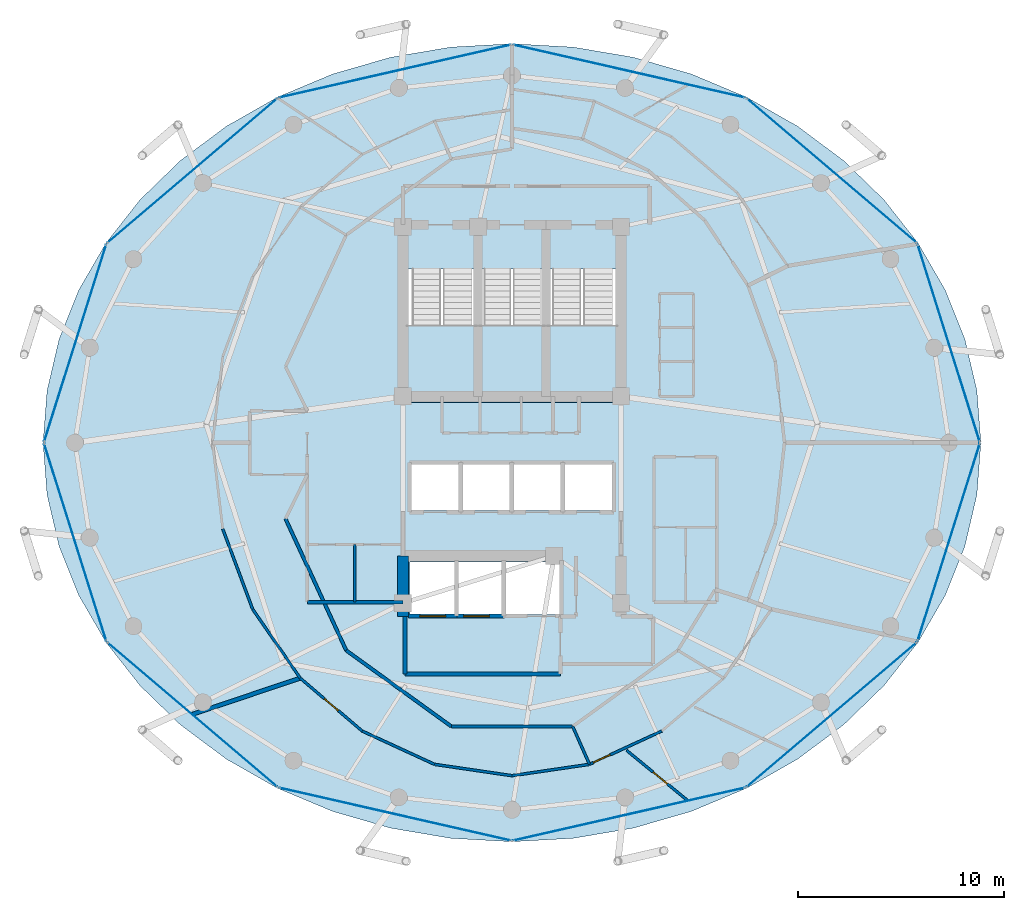
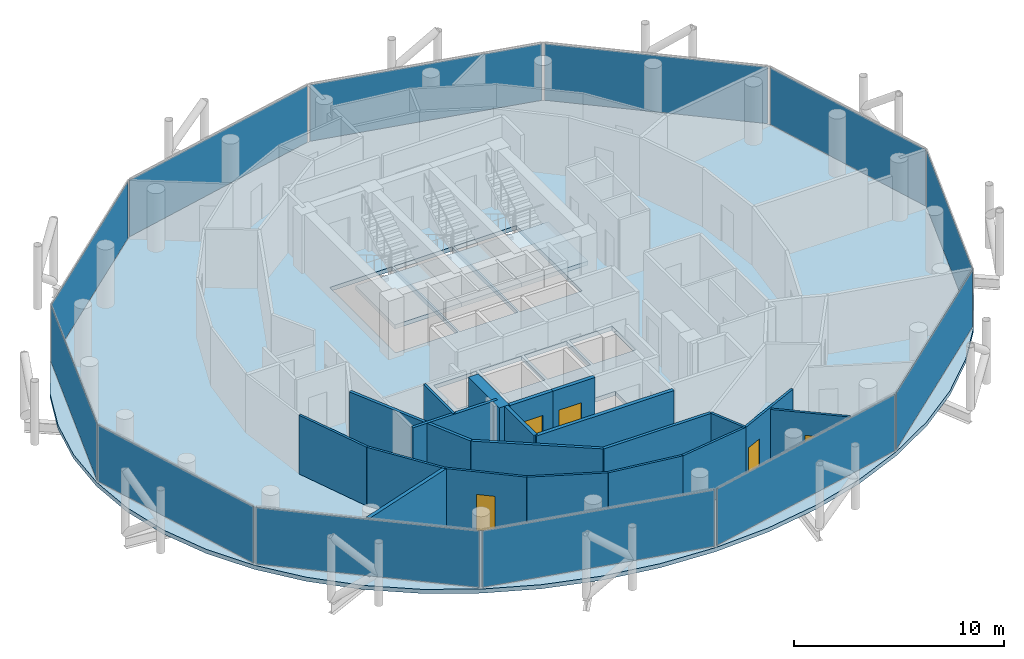
# One storey, part 22 of 27: 20 walls, 12 plates, 5 doors, 4 slabs, 5 openings, 15 elements without a shape of their own.
"""IFC4 building model written with IfcOpenShell, lengths in metres."""

from ifc_helpers import new_model, si_unit, direction, frame, frame_2d, origin, origin_2d, place, context, subcontext, project, spatial, polyline, rectangle, outline, extrude, material, layer, layer_set, type_object, element, fill, aggregate, save


model = new_model("IFC4")

# Units and contexts
model_context = context("Model", 3, precision=1e-05, world=origin(), true_north=direction((0.0, 1.0)))
body_context = subcontext(model_context, "Body", "Model", "MODEL_VIEW")
ifc_project = project(units=[si_unit("LENGTHUNIT", "METRE"), si_unit("AREAUNIT", "SQUARE_METRE"), si_unit("VOLUMEUNIT", "CUBIC_METRE"), si_unit("PLANEANGLEUNIT", "RADIAN"), si_unit("MASSUNIT", "GRAM", prefix="KILO")], contexts=[model_context])

# Site, building, storey
site_placement = place(None, origin())
site = spatial("IfcSite", under=ifc_project, at=site_placement, CompositionType="ELEMENT")
building_placement = place(site_placement, origin())
building = spatial("IfcBuilding", under=site, at=building_placement, Name="Nuhasar Tower", CompositionType="ELEMENT")
storey_placement = place(building_placement, frame((0.0, 0.0, 237.35009765625)))
storey = spatial("IfcBuildingStorey", under=building, at=storey_placement, Name="L58", CompositionType="ELEMENT", Elevation=237.35009765625)

# Curtain wall, plate
ifc_material_1 = material(Name="Aluminium 6063-T6", Category="aluminium")
ifc_layer_1 = layer(ifc_material_1, 0.18994140625)
ifc_layer_set_1 = layer_set([ifc_layer_1], Name="Aluminium 6063-T6")
curtain_wall_type = type_object("IfcCurtainWallType", Name="CW-Z3-RES", PredefinedType="NOTDEFINED", material=ifc_layer_set_1)
curtain_wall_1_placement = place(storey_placement, origin())
curtain_wall_1 = element("IfcCurtainWall", 1, at=curtain_wall_1_placement, inside=storey, type_object=curtain_wall_type, Name="L58 Unitised Curtain Wall 01", PredefinedType="NOTDEFINED")
ifc_material_2 = material(Name="Glass Double Low-E", Category="glass")
ifc_layer_2 = layer(ifc_material_2, 0.028076171875)
ifc_layer_set_2 = layer_set([ifc_layer_2], Name="Glass Double Low-E")
plate_type = type_object("IfcPlateType", Name="CW-PANEL-GLZ", PredefinedType="CURTAIN_PANEL", material=ifc_layer_set_2)
plate_1_placement = place(storey_placement, frame((60.235595703125, 31.639892578125, 0.06494140625), z_axis=(0.0, 0.0, 1.0), x_axis=(-0.30042864553, 0.95380429279, 0.0)))
plate_1 = element("IfcPlate", 2, at=plate_1_placement, type_object=plate_type, Name="CW-Z3 panel 1.1", PredefinedType="CURTAIN_PANEL", context=body_context, shape_type="SweptSolid", body=[
    extrude(rectangle(XDim=10.018798828125, YDim=0.028076171875, at=origin_2d()), origin(), (0.0, 0.0, 1.0), 3.280029296875),
])
aggregate(curtain_wall_1, [plate_1])

curtain_wall_2_placement = place(storey_placement, origin())
curtain_wall_2 = element("IfcCurtainWall", 3, at=curtain_wall_2_placement, inside=storey, type_object=curtain_wall_type, Name="L58 Unitised Curtain Wall 02", PredefinedType="NOTDEFINED")
plate_2_placement = place(storey_placement, frame((54.54541015625, 40.02294921875, 0.06494140625), z_axis=(0.0, 0.0, 1.0), x_axis=(-0.761729472562, 0.64789521578, 0.0)))
plate_2 = element("IfcPlate", 4, at=plate_2_placement, type_object=plate_type, Name="CW-Z3 panel 1.1", PredefinedType="CURTAIN_PANEL", context=body_context, shape_type="SweptSolid", body=[
    extrude(rectangle(XDim=10.806884765625, YDim=0.028076171875, at=origin_2d()), origin(), (0.0, 0.0, 1.0), 3.280029296875),
])
aggregate(curtain_wall_2, [plate_2])

curtain_wall_3_placement = place(storey_placement, origin())
curtain_wall_3 = element("IfcCurtainWall", 5, at=curtain_wall_3_placement, inside=storey, type_object=curtain_wall_type, Name="L58 Unitised Curtain Wall 03", PredefinedType="NOTDEFINED")
plate_3_placement = place(storey_placement, frame((44.68994140625, 44.863037109375, 0.06494140625), z_axis=(0.0, 0.0, 1.0), x_axis=(-0.974991266926, 0.222243176313, 0.0)))
plate_3 = element("IfcPlate", 6, at=plate_3_placement, type_object=plate_type, Name="CW-Z3 panel 1.1", PredefinedType="CURTAIN_PANEL", context=body_context, shape_type="SweptSolid", body=[
    extrude(rectangle(XDim=11.5419921875, YDim=0.028076171875, at=origin_2d()), origin(), (0.0, 0.0, 1.0), 3.280029296875),
])
aggregate(curtain_wall_3, [plate_3])

curtain_wall_4_placement = place(storey_placement, origin())
curtain_wall_4 = element("IfcCurtainWall", 7, at=curtain_wall_4_placement, inside=storey, type_object=curtain_wall_type, Name="L58 Unitised Curtain Wall 04", PredefinedType="NOTDEFINED")
plate_4_placement = place(storey_placement, frame((33.31005859375, 44.863037109375, 0.06494140625), z_axis=(0.0, 0.0, 1.0), x_axis=(-0.974991266926, -0.222243176313, 0.0)))
plate_4 = element("IfcPlate", 8, at=plate_4_placement, type_object=plate_type, Name="CW-Z3 panel 1.1", PredefinedType="CURTAIN_PANEL", context=body_context, shape_type="SweptSolid", body=[
    extrude(rectangle(XDim=11.5419921875, YDim=0.028076171875, at=origin_2d()), origin(), (0.0, 0.0, 1.0), 3.280029296875),
])
aggregate(curtain_wall_4, [plate_4])

curtain_wall_5_placement = place(storey_placement, origin())
curtain_wall_5 = element("IfcCurtainWall", 9, at=curtain_wall_5_placement, inside=storey, type_object=curtain_wall_type, Name="L58 Unitised Curtain Wall 05", PredefinedType="NOTDEFINED")
plate_5_placement = place(storey_placement, frame((23.45458984375, 40.02294921875, 0.06494140625), z_axis=(0.0, 0.0, 1.0), x_axis=(-0.761729472562, -0.64789521578, 0.0)))
plate_5 = element("IfcPlate", 10, at=plate_5_placement, type_object=plate_type, Name="CW-Z3 panel 1.1", PredefinedType="CURTAIN_PANEL", context=body_context, shape_type="SweptSolid", body=[
    extrude(rectangle(XDim=10.806884765625, YDim=0.028076171875, at=origin_2d()), origin(), (0.0, 0.0, 1.0), 3.280029296875),
])
aggregate(curtain_wall_5, [plate_5])

curtain_wall_6_placement = place(storey_placement, origin())
curtain_wall_6 = element("IfcCurtainWall", 11, at=curtain_wall_6_placement, inside=storey, type_object=curtain_wall_type, Name="L58 Unitised Curtain Wall 06", PredefinedType="NOTDEFINED")
plate_6_placement = place(storey_placement, frame((17.764404296875, 31.639892578125, 0.06494140625), z_axis=(0.0, 0.0, 1.0), x_axis=(-0.30042864553, -0.95380429279, 0.0)))
plate_6 = element("IfcPlate", 12, at=plate_6_placement, type_object=plate_type, Name="CW-Z3 panel 1.1", PredefinedType="CURTAIN_PANEL", context=body_context, shape_type="SweptSolid", body=[
    extrude(rectangle(XDim=10.018798828125, YDim=0.028076171875, at=origin_2d()), origin(), (0.0, 0.0, 1.0), 3.280029296875),
])
aggregate(curtain_wall_6, [plate_6])

curtain_wall_7_placement = place(storey_placement, origin())
curtain_wall_7 = element("IfcCurtainWall", 13, at=curtain_wall_7_placement, inside=storey, type_object=curtain_wall_type, Name="L58 Unitised Curtain Wall 07", PredefinedType="NOTDEFINED")
plate_7_placement = place(storey_placement, frame((17.764404296875, 21.9599609375, 0.06494140625), z_axis=(0.0, 0.0, 1.0), x_axis=(0.30042864553, -0.95380429279, 0.0)))
plate_7 = element("IfcPlate", 14, at=plate_7_placement, type_object=plate_type, Name="CW-Z3 panel 1.1", PredefinedType="CURTAIN_PANEL", context=body_context, shape_type="SweptSolid", body=[
    extrude(rectangle(XDim=10.018798828125, YDim=0.028076171875, at=origin_2d()), origin(), (0.0, 0.0, 1.0), 3.280029296875),
])
aggregate(curtain_wall_7, [plate_7])

curtain_wall_8_placement = place(storey_placement, origin())
curtain_wall_8 = element("IfcCurtainWall", 15, at=curtain_wall_8_placement, inside=storey, type_object=curtain_wall_type, Name="L58 Unitised Curtain Wall 08", PredefinedType="NOTDEFINED")
plate_8_placement = place(storey_placement, frame((23.45458984375, 13.576904296875, 0.06494140625), z_axis=(0.0, 0.0, 1.0), x_axis=(0.761729472562, -0.64789521578, 0.0)))
plate_8 = element("IfcPlate", 16, at=plate_8_placement, type_object=plate_type, Name="CW-Z3 panel 1.1", PredefinedType="CURTAIN_PANEL", context=body_context, shape_type="SweptSolid", body=[
    extrude(rectangle(XDim=10.806884765625, YDim=0.028076171875, at=origin_2d()), origin(), (0.0, 0.0, 1.0), 3.280029296875),
])
aggregate(curtain_wall_8, [plate_8])

curtain_wall_9_placement = place(storey_placement, origin())
curtain_wall_9 = element("IfcCurtainWall", 17, at=curtain_wall_9_placement, inside=storey, type_object=curtain_wall_type, Name="L58 Unitised Curtain Wall 09", PredefinedType="NOTDEFINED")
plate_9_placement = place(storey_placement, frame((33.31005859375, 8.737060546875, 0.06494140625), z_axis=(0.0, 0.0, 1.0), x_axis=(0.974991266926, -0.222243176313, 0.0)))
plate_9 = element("IfcPlate", 18, at=plate_9_placement, type_object=plate_type, Name="CW-Z3 panel 1.1", PredefinedType="CURTAIN_PANEL", context=body_context, shape_type="SweptSolid", body=[
    extrude(rectangle(XDim=11.5419921875, YDim=0.028076171875, at=origin_2d()), origin(), (0.0, 0.0, 1.0), 3.280029296875),
])
aggregate(curtain_wall_9, [plate_9])

curtain_wall_10_placement = place(storey_placement, origin())
curtain_wall_10 = element("IfcCurtainWall", 19, at=curtain_wall_10_placement, inside=storey, type_object=curtain_wall_type, Name="L58 Unitised Curtain Wall 10", PredefinedType="NOTDEFINED")
plate_10_placement = place(storey_placement, frame((44.68994140625, 8.737060546875, 0.06494140625), z_axis=(0.0, 0.0, 1.0), x_axis=(0.974991266926, 0.222243176313, 0.0)))
plate_10 = element("IfcPlate", 20, at=plate_10_placement, type_object=plate_type, Name="CW-Z3 panel 1.1", PredefinedType="CURTAIN_PANEL", context=body_context, shape_type="SweptSolid", body=[
    extrude(rectangle(XDim=11.5419921875, YDim=0.028076171875, at=origin_2d()), origin(), (0.0, 0.0, 1.0), 3.280029296875),
])
aggregate(curtain_wall_10, [plate_10])

curtain_wall_11_placement = place(storey_placement, origin())
curtain_wall_11 = element("IfcCurtainWall", 21, at=curtain_wall_11_placement, inside=storey, type_object=curtain_wall_type, Name="L58 Unitised Curtain Wall 11", PredefinedType="NOTDEFINED")
plate_11_placement = place(storey_placement, frame((54.54541015625, 13.576904296875, 0.06494140625), z_axis=(0.0, 0.0, 1.0), x_axis=(0.761729472562, 0.64789521578, 0.0)))
plate_11 = element("IfcPlate", 22, at=plate_11_placement, type_object=plate_type, Name="CW-Z3 panel 1.1", PredefinedType="CURTAIN_PANEL", context=body_context, shape_type="SweptSolid", body=[
    extrude(rectangle(XDim=10.806884765625, YDim=0.028076171875, at=origin_2d()), origin(), (0.0, 0.0, 1.0), 3.280029296875),
])
aggregate(curtain_wall_11, [plate_11])

curtain_wall_12_placement = place(storey_placement, origin())
curtain_wall_12 = element("IfcCurtainWall", 23, at=curtain_wall_12_placement, inside=storey, type_object=curtain_wall_type, Name="L58 Unitised Curtain Wall 12", PredefinedType="NOTDEFINED")
plate_12_placement = place(storey_placement, frame((60.235595703125, 21.9599609375, 0.06494140625), z_axis=(0.0, 0.0, 1.0), x_axis=(0.30042864553, 0.95380429279, 0.0)))
plate_12 = element("IfcPlate", 24, at=plate_12_placement, type_object=plate_type, Name="CW-Z3 panel 1.1", PredefinedType="CURTAIN_PANEL", context=body_context, shape_type="SweptSolid", body=[
    extrude(rectangle(XDim=10.018798828125, YDim=0.028076171875, at=origin_2d()), origin(), (0.0, 0.0, 1.0), 3.280029296875),
])
aggregate(curtain_wall_12, [plate_12])

# Stair, slab
ifc_material_3 = material(Name="Concrete C45/55", Category="concrete")
stair_type_1 = type_object("IfcStairType", Name="STR-ST-01-2F-22R-1659", PredefinedType="HALF_TURN_STAIR", material=ifc_material_3)
stair_1_placement = place(storey_placement, origin())
stair_1 = element("IfcStair", 25, at=stair_1_placement, inside=storey, type_object=stair_type_1, Name="L58 Exit Stair ST-01", PredefinedType="HALF_TURN_STAIR")
ifc_layer_3 = layer(ifc_material_3, 0.239990234375)
ifc_layer_set_3 = layer_set([ifc_layer_3], Name="Concrete C45/55")
slab_type_1 = type_object("IfcSlabType", Name="SLB-STAIR-LND-240", PredefinedType="LANDING", material=ifc_layer_set_3)
slab_1_placement = place(storey_placement, frame((0.0, 0.0, 1.5849609375)))
slab_1 = element("IfcSlab", 26, at=slab_1_placement, type_object=slab_type_1, Name="ST-01 landing 1", PredefinedType="LANDING", context=body_context, shape_type="SweptSolid", body=[
    extrude(outline(polyline([(33.699951171875, 28.75), (37.35009765625, 28.75), (37.35009765625, 32.52001953125), (33.699951171875, 32.52001953125), (33.699951171875, 28.75)])), origin(), (0.0, 0.0, 1.0), 0.239990234375),
])
aggregate(stair_1, [slab_1])

stair_type_2 = type_object("IfcStairType", Name="STR-ST-03-2F-22R-1659", PredefinedType="HALF_TURN_STAIR", material=ifc_material_3)
stair_2_placement = place(storey_placement, origin())
stair_2 = element("IfcStair", 27, at=stair_2_placement, inside=storey, type_object=stair_type_2, Name="L58 Exit Stair ST-03", PredefinedType="HALF_TURN_STAIR")
slab_2_placement = place(storey_placement, frame((0.0, 0.0, 1.5849609375)))
slab_2 = element("IfcSlab", 28, at=slab_2_placement, type_object=slab_type_1, Name="ST-03 landing 1", PredefinedType="LANDING", context=body_context, shape_type="SweptSolid", body=[
    extrude(outline(polyline([(37.35009765625, 28.75), (40.64990234375, 28.75), (40.64990234375, 32.52001953125), (37.35009765625, 32.52001953125), (37.35009765625, 28.75)])), origin(), (0.0, 0.0, 1.0), 0.239990234375),
])
aggregate(stair_2, [slab_2])

stair_type_3 = type_object("IfcStairType", Name="STR-ST-02-2F-22R-1659", PredefinedType="HALF_TURN_STAIR", material=ifc_material_3)
stair_3_placement = place(storey_placement, origin())
stair_3 = element("IfcStair", 29, at=stair_3_placement, inside=storey, type_object=stair_type_3, Name="L58 Exit Stair ST-02", PredefinedType="HALF_TURN_STAIR")
slab_3_placement = place(storey_placement, frame((0.0, 0.0, 1.5849609375)))
slab_3 = element("IfcSlab", 30, at=slab_3_placement, type_object=slab_type_1, Name="ST-02 landing 1", PredefinedType="LANDING", context=body_context, shape_type="SweptSolid", body=[
    extrude(outline(polyline([(40.64990234375, 28.75), (44.300048828125, 28.75), (44.300048828125, 32.52001953125), (40.64990234375, 32.52001953125), (40.64990234375, 28.75)])), origin(), (0.0, 0.0, 1.0), 0.239990234375),
])
aggregate(stair_3, [slab_3])

# Slab
ifc_layer_4 = layer(ifc_material_3, 0.239990234375)
ifc_layer_set_4 = layer_set([ifc_layer_4], Name="Concrete C45/55")
slab_type_2 = type_object("IfcSlabType", Name="SLB-Z3-240", PredefinedType="FLOOR", material=ifc_layer_set_4)
slab_4_placement = place(storey_placement, frame((0.0, 0.0, -0.239990234375)))
element("IfcSlab", 31, at=slab_4_placement, inside=storey, type_object=slab_type_2, Name="L58 Structural Slab", PredefinedType="FLOOR", context=body_context, shape_type="SweptSolid", body=[
    extrude(outline(polyline([(61.800048828125, 26.800048828125), (61.60498046875, 29.33203125), (61.02294921875, 31.821044921875), (60.06396484375, 34.22412109375), (58.7451171875, 36.5), (57.087890625, 38.610107421875), (55.1220703125, 40.51806640625), (52.8798828125, 42.19091796875), (50.39990234375, 43.60107421875), (47.72509765625, 44.722900390625), (44.90087890625, 45.5390625), (41.97607421875, 46.033935546875), (39.0, 46.199951171875), (36.02392578125, 46.033935546875), (33.09912109375, 45.5390625), (30.27490234375, 44.722900390625), (27.60009765625, 43.60107421875), (25.1201171875, 42.19091796875), (22.8779296875, 40.51806640625), (20.912109375, 38.610107421875), (19.2548828125, 36.5), (17.93603515625, 34.22412109375), (16.97705078125, 31.821044921875), (16.39501953125, 29.33203125), (16.199951171875, 26.800048828125), (16.39501953125, 24.26806640625), (16.97705078125, 21.779052734375), (17.93603515625, 19.3759765625), (19.2548828125, 17.10009765625), (20.912109375, 14.989990234375), (22.8779296875, 13.08203125), (25.1201171875, 11.408935546875), (27.60009765625, 9.9990234375), (30.27490234375, 8.876953125), (33.09912109375, 8.06103515625), (36.02392578125, 7.56591796875), (39.0, 7.39990234375), (41.97607421875, 7.56591796875), (44.90087890625, 8.06103515625), (47.72509765625, 8.876953125), (50.39990234375, 9.9990234375), (52.8798828125, 11.408935546875), (55.1220703125, 13.08203125), (57.087890625, 14.989990234375), (58.7451171875, 17.10009765625), (60.06396484375, 19.3759765625), (61.02294921875, 21.779052734375), (61.60498046875, 24.26806640625), (61.800048828125, 26.800048828125)]), holes=[polyline([(33.8798828125, 35.25), (37.300048828125, 35.25), (37.300048828125, 29.0), (33.8798828125, 29.0), (33.8798828125, 35.25)]), polyline([(37.39990234375, 35.25), (40.60009765625, 35.25), (40.60009765625, 29.0), (37.39990234375, 29.0), (37.39990234375, 35.25)]), polyline([(40.699951171875, 35.25), (44.1201171875, 35.25), (44.1201171875, 29.0), (40.699951171875, 29.0), (40.699951171875, 35.25)]), polyline([(34.10009765625, 25.75), (36.43994140625, 25.75), (36.43994140625, 23.5), (34.10009765625, 23.5), (34.10009765625, 25.75)]), polyline([(36.580078125, 25.75), (38.919921875, 25.75), (38.919921875, 23.5), (36.580078125, 23.5), (36.580078125, 25.75)]), polyline([(39.06005859375, 25.75), (41.39990234375, 25.75), (41.39990234375, 23.5), (39.06005859375, 23.5), (39.06005859375, 25.75)]), polyline([(41.5400390625, 25.75), (43.8798828125, 25.75), (43.8798828125, 23.5), (41.5400390625, 23.5), (41.5400390625, 25.75)]), polyline([(34.050048828125, 21.0), (36.25, 21.0), (36.25, 18.449951171875), (34.050048828125, 18.449951171875), (34.050048828125, 21.0)]), polyline([(36.35009765625, 21.0), (38.550048828125, 21.0), (38.550048828125, 18.449951171875), (36.35009765625, 18.449951171875), (36.35009765625, 21.0)]), polyline([(38.64990234375, 21.0), (41.320068359375, 21.0), (41.320068359375, 18.449951171875), (38.64990234375, 18.449951171875), (38.64990234375, 21.0)])]), origin(), (0.0, 0.0, 1.0), 0.239990234375),
])

# Walls
ifc_material_4 = material(Name="Concrete C55/67", Category="concrete")
ifc_layer_5 = layer(ifc_material_4, 0.550048828125)
ifc_layer_set_5 = layer_set([ifc_layer_5], Name="Concrete C55/67")
wall_type_1 = type_object("IfcWallType", Name="WL-CORE-550", PredefinedType="SHEAR", material=ifc_layer_set_5)
wall_1_placement = place(storey_placement, frame((33.699951171875, 18.35009765625, 0.0), z_axis=(0.0, 0.0, 1.0), x_axis=(0.0, 1.0, 0.0)))
element("IfcWall", 32, at=wall_1_placement, inside=storey, type_object=wall_type_1, Name="L58 Core Shear Wall CW-SW CW-550", PredefinedType="SHEAR", context=body_context, shape_type="SweptSolid", body=[
    extrude(rectangle(XDim=2.949951171875, YDim=0.550048828125, at=frame_2d((1.47509765625, 0.0))), origin(), (0.0, 0.0, 1.0), 3.409912109375),
])
ifc_material_5 = material(Name="Gypsum Board", Category="gypsum")
ifc_layer_6 = layer(ifc_material_5, 0.159912109375)
ifc_layer_set_6 = layer_set([ifc_layer_6], Name="Gypsum Board")
wall_type_2 = type_object("IfcWallType", Name="WL-CORR-160", PredefinedType="PARTITIONING", material=ifc_layer_set_6)
wall_2_placement = place(storey_placement, frame((29.050048828125, 19.050048828125, 0.0), z_axis=(0.0, 0.0, 1.0), x_axis=(1.0, 0.0, 0.0)))
element("IfcWall", 33, at=wall_2_placement, inside=storey, type_object=wall_type_2, Name="L58 Interior Partition RECL-B1-S", PredefinedType="PARTITIONING", context=body_context, shape_type="SweptSolid", body=[
    extrude(rectangle(XDim=4.64990234375, YDim=0.159912109375, at=frame_2d((2.324951171875, 0.0))), origin(), (0.0, 0.0, 1.0), 3.409912109375),
])
wall_3_placement = place(storey_placement, frame((27.988037109375, 23.10400390625, 0.0), z_axis=(0.0, 0.0, 1.0), x_axis=(0.418656179426, -0.908144814128, 0.0)))
element("IfcWall", 34, at=wall_3_placement, inside=storey, type_object=wall_type_2, Name="L58 Interior Partition UWEST-CORE-S1-26", PredefinedType="PARTITIONING", context=body_context, shape_type="SweptSolid", body=[
    extrude(rectangle(XDim=7.048583984375, YDim=0.159912109375, at=frame_2d((3.5244140625, 0.0))), origin(), (0.0, 0.0, 1.0), 3.409912109375),
])
wall_4_placement = place(storey_placement, frame((30.93896484375, 16.702880859375, 0.0), z_axis=(0.0, 0.0, 1.0), x_axis=(0.810290119061, -0.586028943784, 0.0)))
element("IfcWall", 35, at=wall_4_placement, inside=storey, type_object=wall_type_2, Name="L58 Interior Partition UWEST-CORE-S1-30", PredefinedType="PARTITIONING", context=body_context, shape_type="SweptSolid", body=[
    extrude(rectangle(XDim=6.306396484375, YDim=0.159912109375, at=frame_2d((3.1533203125, 0.0))), origin(), (0.0, 0.0, 1.0), 3.409912109375),
])
wall_5_placement = place(storey_placement, frame((36.049072265625, 13.007080078125, 0.0), z_axis=(0.0, 0.0, 1.0), x_axis=(1.0, 0.0, 0.0)))
element("IfcWall", 36, at=wall_5_placement, inside=storey, type_object=wall_type_2, Name="L58 Interior Partition UWEST-CORE-S1-34", PredefinedType="PARTITIONING", context=body_context, shape_type="SweptSolid", body=[
    extrude(rectangle(XDim=5.90185546875, YDim=0.159912109375, at=frame_2d((2.950927734375, 0.0))), origin(), (0.0, 0.0, 1.0), 3.409912109375),
])
ifc_layer_7 = layer(ifc_material_3, 0.199951171875)
ifc_layer_set_7 = layer_set([ifc_layer_7], Name="Concrete C45/55")
wall_type_3 = type_object("IfcWallType", Name="WL-LOBBY-200", PredefinedType="SOLIDWALL", material=ifc_layer_set_7)
wall_6_placement = place(storey_placement, frame((33.800048828125, 15.550048828125, 0.0), z_axis=(0.0, 0.0, 1.0), x_axis=(1.0, 0.0, 0.0)))
element("IfcWall", 37, at=wall_6_placement, inside=storey, type_object=wall_type_3, Name="L58 Interior Partition FFL-S", PredefinedType="SOLIDWALL", context=body_context, shape_type="SweptSolid", body=[
    extrude(rectangle(XDim=7.550048828125, YDim=0.199951171875, at=frame_2d((3.77490234375, 0.0))), origin(), (0.0, 0.0, 1.0), 3.409912109375),
])
wall_7_placement = place(storey_placement, frame((33.800048828125, 15.550048828125, 0.0), z_axis=(0.0, 0.0, 1.0), x_axis=(0.0, 1.0, 0.0)))
element("IfcWall", 38, at=wall_7_placement, inside=storey, type_object=wall_type_3, Name="L58 Interior Partition FFL-W", PredefinedType="SOLIDWALL", context=body_context, shape_type="SweptSolid", body=[
    extrude(rectangle(XDim=2.800048828125, YDim=0.199951171875, at=frame_2d((1.39990234375, 0.0))), origin(), (0.0, 0.0, 1.0), 3.409912109375),
])
ifc_layer_8 = layer(ifc_material_5, 0.125)
ifc_layer_set_8 = layer_set([ifc_layer_8], Name="Gypsum Board")
wall_type_4 = type_object("IfcWallType", Name="WL-PART-125", PredefinedType="PARTITIONING", material=ifc_layer_set_8)
wall_8_placement = place(storey_placement, frame((31.35009765625, 19.050048828125, 0.0), z_axis=(0.0, 0.0, 1.0), x_axis=(0.0, 1.0, 0.0)))
element("IfcWall", 39, at=wall_8_placement, inside=storey, type_object=wall_type_4, Name="L58 Interior Partition HKPK1-V", PredefinedType="PARTITIONING", context=body_context, shape_type="SweptSolid", body=[
    extrude(rectangle(XDim=2.800048828125, YDim=0.125, at=frame_2d((1.39990234375, 0.0))), origin(), (0.0, 0.0, 1.0), 3.409912109375),
])
wall_9_placement = place(storey_placement, frame((24.93603515625, 22.610107421875, 0.0), z_axis=(0.0, 0.0, 1.0), x_axis=(0.349164501946, -0.9370614444, 0.0)))
element("IfcWall", 40, at=wall_9_placement, inside=storey, type_object=wall_type_4, Name="L58 Interior Partition USM-1-D-26", PredefinedType="PARTITIONING", context=body_context, shape_type="SweptSolid", body=[
    extrude(rectangle(XDim=4.167236328125, YDim=0.125, at=frame_2d((2.08349609375, 0.0))), origin(), (0.0, 0.0, 1.0), 3.409912109375),
])
wall_10_placement = place(storey_placement, frame((26.39111328125, 18.705078125, 0.0), z_axis=(0.0, 0.0, 1.0), x_axis=(0.567987799291, -0.823036973566, 0.0)))
element("IfcWall", 41, at=wall_10_placement, inside=storey, type_object=wall_type_4, Name="L58 Interior Partition USM-1-D-28", PredefinedType="PARTITIONING", context=body_context, shape_type="SweptSolid", body=[
    extrude(rectangle(XDim=4.073974609375, YDim=0.125, at=frame_2d((2.037109375, 0.0))), origin(), (0.0, 0.0, 1.0), 3.409912109375),
])

# Wall, opening, door
wall_11_placement = place(storey_placement, frame((46.280029296875, 12.779052734375, 0.0), z_axis=(0.0, 0.0, 1.0), x_axis=(-0.908348953741, -0.418213077555, 0.0)))
wall_11 = element("IfcWall", 42, at=wall_11_placement, inside=storey, type_object=wall_type_4, Name="L58 Interior Partition USM-2-K-38", PredefinedType="PARTITIONING", context=body_context, shape_type="SweptSolid", body=[
    extrude(rectangle(XDim=3.8662109375, YDim=0.125, at=frame_2d((1.93310546875, 0.0))), origin(), (0.0, 0.0, 1.0), 3.409912109375),
])
opening_1_placement = place(wall_11_placement, frame((2.76611328125, 0.0, 0.0)))
opening_1 = element("IfcOpeningElement", 43, at=opening_1_placement, cuts=wall_11, Name="Opening DR-01", PredefinedType="OPENING", context=body_context, shape_type="SweptSolid", body=[
    extrude(rectangle(XDim=0.89990234375, YDim=2.10009765625, at=frame_2d((0.449951171875, 1.050048828125))), frame((0.0, 0.072509765625, 0.0), z_axis=(0.0, -1.0, 0.0), x_axis=(1.0, 0.0, 0.0)), (0.0, 0.0, 1.0), 0.14501953125),
])
ifc_material_6 = material(Name="Timber Oak", Category="wood")
door_type_1 = type_object("IfcDoorType", Name="DR-ROOM-900", OperationType="NOTDEFINED", PredefinedType="DOOR", material=ifc_material_6)
door_1_placement = place(opening_1_placement, origin())
door_1 = element("IfcDoor", 44, at=door_1_placement, inside=storey, type_object=door_type_1, Name="L58 South-West Sky Home Kitchen Door", OperationType="SINGLE_SWING_RIGHT", OverallHeight=2.10009765625, OverallWidth=0.89990234375, PredefinedType="DOOR", context=body_context, shape_type="SweptSolid", body=[
    extrude(rectangle(XDim=0.89990234375, YDim=2.10009765625, at=frame_2d((0.449951171875, 1.050048828125))), frame((0.0, 0.02490234375, 0.0), z_axis=(0.0, -1.0, 0.0), x_axis=(1.0, 0.0, 0.0)), (0.0, 0.0, 1.0), 0.050048828125),
])
fill(opening_1, door_1)

# Wall
wall_12_placement = place(storey_placement, frame((41.950927734375, 13.007080078125, 0.0), z_axis=(0.0, 0.0, 1.0), x_axis=(0.404959394094, -0.914334670203, 0.0)))
element("IfcWall", 45, at=wall_12_placement, inside=storey, type_object=wall_type_4, Name="L58 Interior Partition USI-2-DK", PredefinedType="PARTITIONING", context=body_context, shape_type="SweptSolid", body=[
    extrude(rectangle(XDim=2.017822265625, YDim=0.125, at=frame_2d((1.0087890625, 0.0))), origin(), (0.0, 0.0, 1.0), 3.409912109375),
])

# Wall, opening, door
wall_13_placement = place(storey_placement, frame((31.719970703125, 12.779052734375, 0.0), z_axis=(0.0, 0.0, 1.0), x_axis=(-0.760650552049, 0.64916156515, 0.0)))
wall_13 = element("IfcWall", 46, at=wall_13_placement, inside=storey, type_object=wall_type_4, Name="L58 Interior Partition USM-2-D-30", PredefinedType="PARTITIONING", context=body_context, shape_type="SweptSolid", body=[
    extrude(rectangle(XDim=3.963623046875, YDim=0.125, at=frame_2d((1.98193359375, 0.0))), origin(), (0.0, 0.0, 1.0), 3.409912109375),
])
opening_2_placement = place(wall_13_placement, frame((1.531982421875, 0.0, 0.0)))
opening_2 = element("IfcOpeningElement", 47, at=opening_2_placement, cuts=wall_13, Name="Opening DR-01", PredefinedType="OPENING", context=body_context, shape_type="SweptSolid", body=[
    extrude(rectangle(XDim=0.89990234375, YDim=2.10009765625, at=frame_2d((0.449951171875, 1.050048828125))), frame((0.0, 0.072509765625, 0.0), z_axis=(0.0, -1.0, 0.0), x_axis=(1.0, 0.0, 0.0)), (0.0, 0.0, 1.0), 0.14501953125),
])
door_2_placement = place(opening_2_placement, origin())
door_2 = element("IfcDoor", 48, at=door_2_placement, inside=storey, type_object=door_type_1, Name="L58 South-West Sky Home Living Door", OperationType="SINGLE_SWING_LEFT", OverallHeight=2.10009765625, OverallWidth=0.89990234375, PredefinedType="DOOR", context=body_context, shape_type="SweptSolid", body=[
    extrude(rectangle(XDim=0.89990234375, YDim=2.10009765625, at=frame_2d((0.449951171875, 1.050048828125))), frame((0.0, 0.02490234375, 0.0), z_axis=(0.0, -1.0, 0.0), x_axis=(1.0, 0.0, 0.0)), (0.0, 0.0, 1.0), 0.050048828125),
])
fill(opening_2, door_2)

# Walls
wall_14_placement = place(storey_placement, frame((31.719970703125, 12.779052734375, 0.0), z_axis=(0.0, 0.0, 1.0), x_axis=(0.908348953741, -0.418213077555, 0.0)))
element("IfcWall", 49, at=wall_14_placement, inside=storey, type_object=wall_type_4, Name="L58 Interior Partition USM-2-D-32", PredefinedType="PARTITIONING", context=body_context, shape_type="SweptSolid", body=[
    extrude(rectangle(XDim=3.8662109375, YDim=0.125, at=frame_2d((1.93310546875, 0.0))), origin(), (0.0, 0.0, 1.0), 3.409912109375),
])
for number, where, z_axis, x_axis, name in (
    (50, (35.23193359375, 11.162109375, 0.0), (0.0, 0.0, 1.0), (0.98943932281, -0.144947668062, 0.0), "L58 Interior Partition USM-2-D-34"),
    (51, (39.0, 10.610107421875, 0.0), (0.0, 0.0, 1.0), (0.98943932281, 0.144947668062, 0.0), "L58 Interior Partition USM-2-D-36"),
):
    element("IfcWall", number, at=place(storey_placement, frame(where, z_axis=z_axis, x_axis=x_axis)), inside=storey, type_object=wall_type_4, Name=name, PredefinedType="PARTITIONING", context=body_context, shape_type="SweptSolid", body=[
        extrude(rectangle(XDim=3.808349609375, YDim=0.125, at=frame_2d((1.904296875, 0.0))), origin(), (0.0, 0.0, 1.0), 3.409912109375),
    ])

# Wall, opening, door
wall_15_placement = place(storey_placement, frame((44.572021484375, 11.842041015625, 0.0), z_axis=(0.0, 0.0, 1.0), x_axis=(0.772485420773, -0.635032498927, 0.0)))
wall_15 = element("IfcWall", 52, at=wall_15_placement, inside=storey, type_object=wall_type_4, Name="L58 Interior Partition USO-2-B1", PredefinedType="PARTITIONING", context=body_context, shape_type="SweptSolid", body=[
    extrude(rectangle(XDim=3.81884765625, YDim=0.125, at=frame_2d((1.909423828125, 0.0))), origin(), (0.0, 0.0, 1.0), 3.409912109375),
])
opening_3_placement = place(wall_15_placement, frame((1.660888671875, 0.0, 0.0)))
opening_3 = element("IfcOpeningElement", 53, at=opening_3_placement, cuts=wall_15, Name="Opening DR-01", PredefinedType="OPENING", context=body_context, shape_type="SweptSolid", body=[
    extrude(rectangle(XDim=0.89990234375, YDim=2.10009765625, at=frame_2d((0.449951171875, 1.050048828125))), frame((0.0, 0.072509765625, 0.0), z_axis=(0.0, -1.0, 0.0), x_axis=(1.0, 0.0, 0.0)), (0.0, 0.0, 1.0), 0.14501953125),
])
door_3_placement = place(opening_3_placement, origin())
door_3 = element("IfcDoor", 54, at=door_3_placement, inside=storey, type_object=door_type_1, Name="L58 South-West Sky Home Study Door", OperationType="SINGLE_SWING_RIGHT", OverallHeight=2.10009765625, OverallWidth=0.89990234375, PredefinedType="DOOR", context=body_context, shape_type="SweptSolid", body=[
    extrude(rectangle(XDim=0.89990234375, YDim=2.10009765625, at=frame_2d((0.449951171875, 1.050048828125))), frame((0.0, 0.02490234375, 0.0), z_axis=(0.0, -1.0, 0.0), x_axis=(1.0, 0.0, 0.0)), (0.0, 0.0, 1.0), 0.050048828125),
])
fill(opening_3, door_3)

ifc_layer_9 = layer(ifc_material_3, 0.199951171875)
ifc_layer_set_9 = layer_set([ifc_layer_9], Name="Concrete C45/55")
wall_type_5 = type_object("IfcWallType", Name="WL-SHAFT-200", PredefinedType="SOLIDWALL", material=ifc_layer_set_9)
wall_16_placement = place(storey_placement, frame((33.969970703125, 18.3701171875, 0.0), z_axis=(0.0, 0.0, 1.0), x_axis=(1.0, 0.0, 0.0)))
wall_16 = element("IfcWall", 55, at=wall_16_placement, inside=storey, type_object=wall_type_5, Name="L58 Interior Partition SHF-FFL-01-S", PredefinedType="SOLIDWALL", context=body_context, shape_type="SweptSolid", body=[
    extrude(rectangle(XDim=2.360107421875, YDim=0.199951171875, at=frame_2d((1.18017578125, 0.0))), origin(), (0.0, 0.0, 1.0), 3.409912109375),
])
opening_4_placement = place(wall_16_placement, frame((0.554931640625, 0.0, 0.0)))
opening_4 = element("IfcOpeningElement", 56, at=opening_4_placement, cuts=wall_16, Name="Opening LD-F01", PredefinedType="OPENING", context=body_context, shape_type="SweptSolid", body=[
    extrude(rectangle(XDim=1.25, YDim=2.199951171875, at=frame_2d((0.625, 1.10009765625))), frame((0.0, 0.10986328125, 0.0), z_axis=(0.0, -1.0, 0.0), x_axis=(1.0, 0.0, 0.0)), (0.0, 0.0, 1.0), 0.219970703125),
])
ifc_material_7 = material(Name="Stainless Steel 316L", Category="steel")
door_type_2 = type_object("IfcDoorType", Name="LD-FFL-1250", OperationType="DOUBLE_DOOR_SLIDING", PredefinedType="DOOR", material=ifc_material_7)
door_4_placement = place(opening_4_placement, origin())
door_4 = element("IfcDoor", 57, at=door_4_placement, inside=storey, type_object=door_type_2, Name="L58 Lift Landing Door FFL-01", OperationType="DOUBLE_DOOR_SLIDING", OverallHeight=2.199951171875, OverallWidth=1.25, PredefinedType="DOOR", context=body_context, shape_type="SweptSolid", body=[
    extrude(rectangle(XDim=1.25, YDim=2.199951171875, at=frame_2d((0.625, 1.10009765625))), frame((0.0, 0.02490234375, 0.0), z_axis=(0.0, -1.0, 0.0), x_axis=(1.0, 0.0, 0.0)), (0.0, 0.0, 1.0), 0.050048828125),
])
fill(opening_4, door_4)

wall_17_placement = place(storey_placement, frame((36.27001953125, 18.3701171875, 0.0), z_axis=(0.0, 0.0, 1.0), x_axis=(1.0, 0.0, 0.0)))
wall_17 = element("IfcWall", 58, at=wall_17_placement, inside=storey, type_object=wall_type_5, Name="L58 Interior Partition SHF-FFL-02-S", PredefinedType="SOLIDWALL", context=body_context, shape_type="SweptSolid", body=[
    extrude(rectangle(XDim=2.35986328125, YDim=0.199951171875, at=frame_2d((1.179931640625, 0.0))), origin(), (0.0, 0.0, 1.0), 3.409912109375),
])
opening_5_placement = place(wall_17_placement, frame((0.3798828125, 0.0, 0.0)))
opening_5 = element("IfcOpeningElement", 59, at=opening_5_placement, cuts=wall_17, Name="Opening LD-F02", PredefinedType="OPENING", context=body_context, shape_type="SweptSolid", body=[
    extrude(rectangle(XDim=1.25, YDim=2.199951171875, at=frame_2d((0.625, 1.10009765625))), frame((0.0, 0.10986328125, 0.0), z_axis=(0.0, -1.0, 0.0), x_axis=(1.0, 0.0, 0.0)), (0.0, 0.0, 1.0), 0.219970703125),
])
door_5_placement = place(opening_5_placement, origin())
door_5 = element("IfcDoor", 60, at=door_5_placement, inside=storey, type_object=door_type_2, Name="L58 Lift Landing Door FFL-02", OperationType="DOUBLE_DOOR_SLIDING", OverallHeight=2.199951171875, OverallWidth=1.25, PredefinedType="DOOR", context=body_context, shape_type="SweptSolid", body=[
    extrude(rectangle(XDim=1.25, YDim=2.199951171875, at=frame_2d((0.625, 1.10009765625))), frame((0.0, 0.02490234375, 0.0), z_axis=(0.0, -1.0, 0.0), x_axis=(1.0, 0.0, 0.0)), (0.0, 0.0, 1.0), 0.050048828125),
])
fill(opening_5, door_5)

# Wall
ifc_material_8 = material(Name="Concrete C40/50 precast", Category="concrete")
ifc_layer_10 = layer(ifc_material_8, 0.199951171875)
ifc_layer_set_10 = layer_set([ifc_layer_10], Name="Concrete C40/50 precast")
wall_type_6 = type_object("IfcWallType", Name="WL-UNIT-200", PredefinedType="PARTITIONING", material=ifc_layer_set_10)
wall_18_placement = place(storey_placement, frame((28.705078125, 15.35205078125, 0.0), z_axis=(0.0, 0.0, 1.0), x_axis=(-0.94819491859, -0.317689150524, 0.0)))
element("IfcWall", 61, at=wall_18_placement, inside=storey, type_object=wall_type_6, Name="L58 Interior Partition UWEST-PARTY-OUT", PredefinedType="PARTITIONING", context=body_context, shape_type="SweptSolid", body=[
    extrude(rectangle(XDim=5.51171875, YDim=0.199951171875, at=frame_2d((2.755859375, 0.0))), origin(), (0.0, 0.0, 1.0), 3.409912109375),
])

save(model, "model.ifc")
